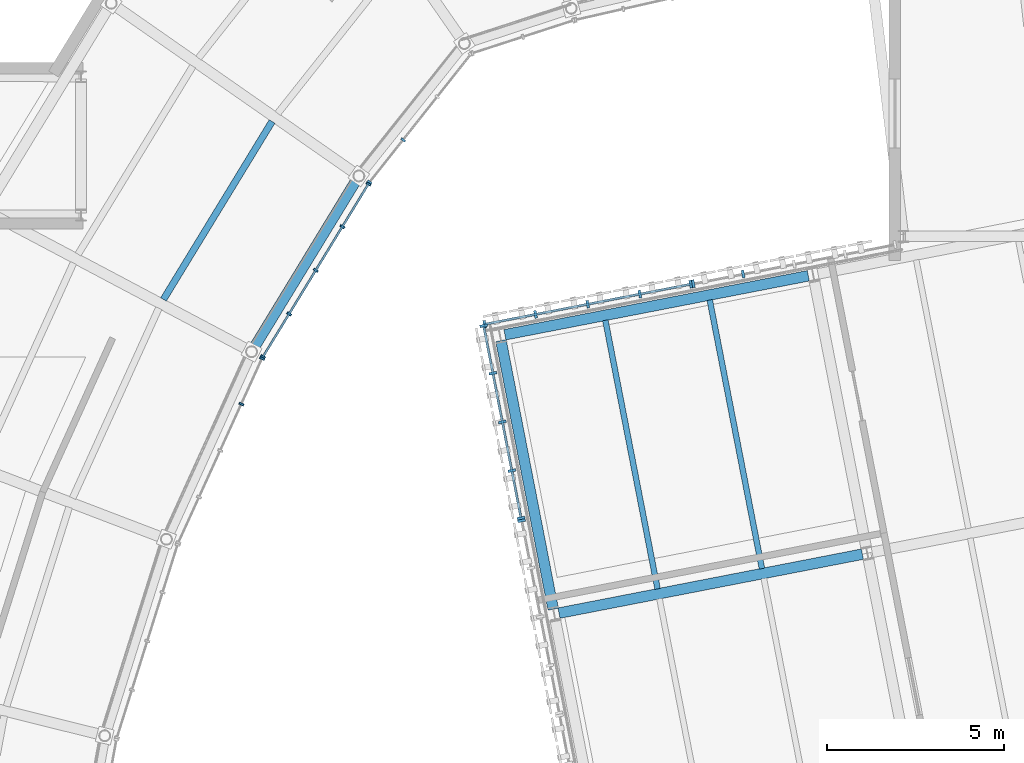
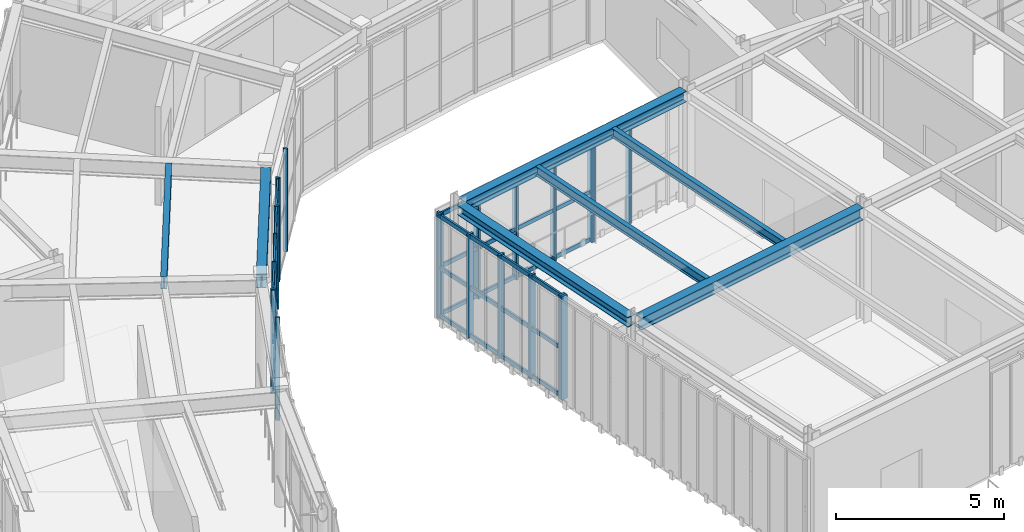
# One storey, part 41 of 103: 31 members, 7 beams, 7 elements without a shape of their own.
"""IFC4 building model written with IfcOpenShell, lengths in metres."""

from ifc_helpers import new_model, si_unit, direction, frame, origin, origin_2d, place, context, subcontext, project, spatial, rectangle, i_section, extrude, material, material_profile, profile_set, type_object, element, aggregate, save


model = new_model("IFC4")

# Units and contexts
model_context = context("Model", 3, precision=1e-05, world=origin(), true_north=direction((0.0, 1.0)))
body_context = subcontext(model_context, "Body", "Model", "MODEL_VIEW")
ifc_project = project(units=[si_unit("LENGTHUNIT", "METRE"), si_unit("AREAUNIT", "SQUARE_METRE"), si_unit("VOLUMEUNIT", "CUBIC_METRE"), si_unit("PLANEANGLEUNIT", "RADIAN"), si_unit("MASSUNIT", "GRAM", prefix="KILO")], contexts=[model_context])

# Site, building, storey
site_placement = place(None, origin())
site = spatial("IfcSite", under=ifc_project, at=site_placement, CompositionType="ELEMENT")
building_placement = place(site_placement, origin())
building = spatial("IfcBuilding", under=site, at=building_placement, Name="Varnklinge Art Gallery", CompositionType="ELEMENT")
storey_placement = place(building_placement, frame((0.0, 0.0, 5.10009765625)))
storey = spatial("IfcBuildingStorey", under=building, at=storey_placement, Name="L01", CompositionType="ELEMENT", Elevation=5.10009765625)

# Beams
ifc_material_1 = material(Name="Steel S355", Category="steel")
ifc_material_profile_1 = material_profile(ifc_material_1, i_section(OverallWidth=0.300048828125, OverallDepth=0.43994140625, WebThickness=0.011474609375, FlangeThickness=0.02099609375, FilletRadius=0.027099609375, at=origin_2d()), Name="HEA 450")
ifc_profile_set_1 = profile_set([ifc_material_profile_1], Name="Steel S355")
beam_type_1 = type_object("IfcBeamType", Name="BM-08", PredefinedType="BEAM", material=ifc_profile_set_1)
beam_1_placement = place(storey_placement, frame((62.483642578125, 69.969970703125, 3.97998046875), z_axis=(0.981628064538, 0.190804462503, 0.0), x_axis=(-0.190804462503, 0.981628064538, 0.0)))
element("IfcBeam", 1, at=beam_1_placement, inside=storey, type_object=beam_type_1, Name="L01 BM-08 BM-V4B-L02-U1-0", PredefinedType="BEAM", context=body_context, shape_type="SweptSolid", body=[
    extrude(i_section(OverallWidth=0.300048828125, OverallDepth=0.43994140625, WebThickness=0.011474609375, FlangeThickness=0.02099609375, FilletRadius=0.027099609375, at=origin_2d()), origin(), (0.0, 0.0, 1.0), 8.719970703125),
])
ifc_material_2 = material(Name="Steel S355", Category="steel")
ifc_material_profile_2 = material_profile(ifc_material_2, i_section(OverallWidth=0.18994140625, OverallDepth=0.449951171875, WebThickness=0.009521484375, FlangeThickness=0.0146484375, FilletRadius=0.02099609375, at=origin_2d()), Name="IPE 450")
ifc_profile_set_2 = profile_set([ifc_material_profile_2], Name="Steel S355")
beam_type_2 = type_object("IfcBeamType", Name="JST-04", PredefinedType="JOIST", material=ifc_profile_set_2)
beam_2_placement = place(storey_placement, frame((54.388427734375, 83.84033203125, 3.954833984375), z_axis=(-0.520951279717, -0.853586412826, 0.0), x_axis=(0.853586412826, -0.520951279717, 0.0)))
element("IfcBeam", 2, at=beam_2_placement, inside=storey, type_object=beam_type_2, Name="L01 JST-04 JST-V2-L02-22-2", PredefinedType="JOIST", context=body_context, shape_type="SweptSolid", body=[
    extrude(i_section(OverallWidth=0.18994140625, OverallDepth=0.449951171875, WebThickness=0.009521484375, FlangeThickness=0.0146484375, FilletRadius=0.02099609375, at=origin_2d()), origin(), (0.0, 0.0, 1.0), 5.8818359375),
])
ifc_material_3 = material(Name="Steel S355", Category="steel")
ifc_material_profile_3 = material_profile(ifc_material_3, i_section(OverallWidth=0.159912109375, OverallDepth=0.330078125, WebThickness=0.007568359375, FlangeThickness=0.011474609375, FilletRadius=0.01806640625, at=origin_2d()), Name="IPE 330")
ifc_profile_set_3 = profile_set([ifc_material_profile_3], Name="Steel S355")
beam_type_3 = type_object("IfcBeamType", Name="JST-07", PredefinedType="JOIST", material=ifc_profile_set_3)
beam_3_placement = place(storey_placement, frame((65.264404296875, 70.653076171875, 4.034912109375), z_axis=(-0.190822257393, 0.98162460548, 0.0), x_axis=(-0.98162460548, -0.190822257393, 0.0)))
element("IfcBeam", 3, at=beam_3_placement, inside=storey, type_object=beam_type_3, Name="L01 JST-07 JST-V4B-L02-0-1-1", PredefinedType="JOIST", context=body_context, shape_type="SweptSolid", body=[
    extrude(i_section(OverallWidth=0.159912109375, OverallDepth=0.330078125, WebThickness=0.007568359375, FlangeThickness=0.011474609375, FilletRadius=0.01806640625, at=origin_2d()), origin(), (0.0, 0.0, 1.0), 7.719970703125),
])
beam_4_placement = place(storey_placement, frame((68.209228515625, 71.225341796875, 4.034912109375), z_axis=(-0.190816333803, 0.981625756974, 0.0), x_axis=(-0.981625756974, -0.190816333803, 0.0)))
element("IfcBeam", 4, at=beam_4_placement, inside=storey, type_object=beam_type_3, Name="L01 JST-07 JST-V4B-L02-0-1-2", PredefinedType="JOIST", context=body_context, shape_type="SweptSolid", body=[
    extrude(i_section(OverallWidth=0.159912109375, OverallDepth=0.330078125, WebThickness=0.007568359375, FlangeThickness=0.011474609375, FilletRadius=0.01806640625, at=origin_2d()), origin(), (0.0, 0.0, 1.0), 7.72021484375),
])

# Curtain wall, members
ifc_material_4 = material(Name="Anodised Aluminium", Category="aluminium")
curtain_wall_type_1 = type_object("IfcCurtainWallType", Name="CW-L02", PredefinedType="USERDEFINED", material=ifc_material_4)
curtain_wall_1_placement = place(storey_placement, origin())
curtain_wall_1 = element("IfcCurtainWall", 5, at=curtain_wall_1_placement, inside=storey, type_object=curtain_wall_type_1, Name="L01 Curtain Wall CW-V4B-L01-3-2-1", ObjectType="UNITISED CURTAIN WALL", PredefinedType="USERDEFINED")
ifc_material_5 = material(Name="Anodised Aluminium", Category="aluminium")
ifc_material_profile_4 = material_profile(ifc_material_5, rectangle(XDim=0.074951171875, YDim=0.219970703125, at=origin_2d()), Name="ALU 75x220")
ifc_profile_set_4 = profile_set([ifc_material_profile_4], Name="Anodised Aluminium")
member_type_1 = type_object("IfcMemberType", Name="MUL-02", PredefinedType="MULLION", material=ifc_profile_set_4)
member_1_placement = place(storey_placement, frame((67.676513671875, 79.53662109375, 0.0), z_axis=(0.0, 0.0, 1.0), x_axis=(-0.981627183448, -0.190808995377, 0.0)))
member_1 = element("IfcMember", 6, at=member_1_placement, type_object=member_type_1, Name="CW-V4B-L01-3-2-1 Mullion 4", PredefinedType="MULLION", context=body_context, shape_type="SweptSolid", body=[
    extrude(rectangle(XDim=0.074951171875, YDim=0.219970703125, at=origin_2d()), origin(), (0.0, 0.0, 1.0), 3.75),
])
member_2_placement = place(storey_placement, frame((66.272216796875, 79.263671875, 0.0), z_axis=(0.0, 0.0, 1.0), x_axis=(-0.981627183448, -0.190808995377, 0.0)))
member_2 = element("IfcMember", 7, at=member_2_placement, type_object=member_type_1, Name="CW-V4B-L01-3-2-1 Mullion 5", PredefinedType="MULLION", context=body_context, shape_type="SweptSolid", body=[
    extrude(rectangle(XDim=0.074951171875, YDim=0.219970703125, at=origin_2d()), origin(), (0.0, 0.0, 1.0), 3.75),
])
aggregate(curtain_wall_1, [member_1, member_2])

curtain_wall_2_placement = place(storey_placement, origin())
curtain_wall_2 = element("IfcCurtainWall", 8, at=curtain_wall_2_placement, inside=storey, type_object=curtain_wall_type_1, Name="L01 Curtain Wall CW-V4B-L01-3-2-2", ObjectType="UNITISED CURTAIN WALL", PredefinedType="USERDEFINED")
member_3_placement = place(storey_placement, frame((66.198486328125, 79.249267578125, 0.0), z_axis=(0.0, 0.0, 1.0), x_axis=(-0.981627183448, -0.190808995377, 0.0)))
member_3 = element("IfcMember", 9, at=member_3_placement, type_object=member_type_1, Name="CW-V4B-L01-3-2-2 Mullion 1", PredefinedType="MULLION", context=body_context, shape_type="SweptSolid", body=[
    extrude(rectangle(XDim=0.074951171875, YDim=0.219970703125, at=origin_2d()), origin(), (0.0, 0.0, 1.0), 3.75),
])
member_4_placement = place(storey_placement, frame((64.76416015625, 78.970458984375, 0.0), z_axis=(0.0, 0.0, 1.0), x_axis=(-0.981627183448, -0.190808995377, 0.0)))
member_4 = element("IfcMember", 10, at=member_4_placement, type_object=member_type_1, Name="CW-V4B-L01-3-2-2 Mullion 2", PredefinedType="MULLION", context=body_context, shape_type="SweptSolid", body=[
    extrude(rectangle(XDim=0.074951171875, YDim=0.219970703125, at=origin_2d()), origin(), (0.0, 0.0, 1.0), 3.75),
])
member_5_placement = place(storey_placement, frame((63.29296875, 78.684326171875, 0.0), z_axis=(0.0, 0.0, 1.0), x_axis=(-0.981627183448, -0.190808995377, 0.0)))
member_5 = element("IfcMember", 11, at=member_5_placement, type_object=member_type_1, Name="CW-V4B-L01-3-2-2 Mullion 3", PredefinedType="MULLION", context=body_context, shape_type="SweptSolid", body=[
    extrude(rectangle(XDim=0.074951171875, YDim=0.219970703125, at=origin_2d()), origin(), (0.0, 0.0, 1.0), 3.75),
])
member_6_placement = place(storey_placement, frame((61.82177734375, 78.3984375, 0.0), z_axis=(0.0, 0.0, 1.0), x_axis=(-0.981627183448, -0.190808995377, 0.0)))
member_6 = element("IfcMember", 12, at=member_6_placement, type_object=member_type_1, Name="CW-V4B-L01-3-2-2 Mullion 4", PredefinedType="MULLION", context=body_context, shape_type="SweptSolid", body=[
    extrude(rectangle(XDim=0.074951171875, YDim=0.219970703125, at=origin_2d()), origin(), (0.0, 0.0, 1.0), 3.75),
])
member_7_placement = place(storey_placement, frame((60.387451171875, 78.11962890625, 0.0), z_axis=(0.0, 0.0, 1.0), x_axis=(-0.981627183448, -0.190808995377, 0.0)))
member_7 = element("IfcMember", 13, at=member_7_placement, type_object=member_type_1, Name="CW-V4B-L01-3-2-2 Mullion 5", PredefinedType="MULLION", context=body_context, shape_type="SweptSolid", body=[
    extrude(rectangle(XDim=0.074951171875, YDim=0.219970703125, at=origin_2d()), origin(), (0.0, 0.0, 1.0), 3.75),
])

ifc_material_6 = material(Name="Anodised Aluminium", Category="aluminium")
curtain_wall_type_2 = type_object("IfcCurtainWallType", Name="CW-L06", PredefinedType="USERDEFINED", material=ifc_material_6)
curtain_wall_3_placement = place(storey_placement, origin())
curtain_wall_3 = element("IfcCurtainWall", 14, at=curtain_wall_3_placement, inside=storey, type_object=curtain_wall_type_2, Name="L01 Curtain Wall CW-V4B-L01-4-1-1", ObjectType="UNITISED CURTAIN WALL", PredefinedType="USERDEFINED")
member_8_placement = place(storey_placement, frame((60.35791015625, 78.07568359375, 0.0), z_axis=(0.0, 0.0, 1.0), x_axis=(0.190808995377, -0.981627183448, 0.0)))
member_8 = element("IfcMember", 15, at=member_8_placement, type_object=member_type_1, Name="CW-V4B-L01-4-1-1 Mullion 1", PredefinedType="MULLION", context=body_context, shape_type="SweptSolid", body=[
    extrude(rectangle(XDim=0.074951171875, YDim=0.219970703125, at=origin_2d()), origin(), (0.0, 0.0, 1.0), 3.75),
])
member_9_placement = place(storey_placement, frame((60.617919921875, 76.73828125, 0.0), z_axis=(0.0, 0.0, 1.0), x_axis=(0.190808995377, -0.981627183448, 0.0)))
member_9 = element("IfcMember", 16, at=member_9_placement, type_object=member_type_1, Name="CW-V4B-L01-4-1-1 Mullion 2", PredefinedType="MULLION", context=body_context, shape_type="SweptSolid", body=[
    extrude(rectangle(XDim=0.074951171875, YDim=0.219970703125, at=origin_2d()), origin(), (0.0, 0.0, 1.0), 3.75),
])
member_10_placement = place(storey_placement, frame((60.885009765625, 75.364013671875, 0.0), z_axis=(0.0, 0.0, 1.0), x_axis=(0.190808995377, -0.981627183448, 0.0)))
member_10 = element("IfcMember", 17, at=member_10_placement, type_object=member_type_1, Name="CW-V4B-L01-4-1-1 Mullion 3", PredefinedType="MULLION", context=body_context, shape_type="SweptSolid", body=[
    extrude(rectangle(XDim=0.074951171875, YDim=0.219970703125, at=origin_2d()), origin(), (0.0, 0.0, 1.0), 3.75),
])
member_11_placement = place(storey_placement, frame((61.152099609375, 73.98974609375, 0.0), z_axis=(0.0, 0.0, 1.0), x_axis=(0.190808995377, -0.981627183448, 0.0)))
member_11 = element("IfcMember", 18, at=member_11_placement, type_object=member_type_1, Name="CW-V4B-L01-4-1-1 Mullion 4", PredefinedType="MULLION", context=body_context, shape_type="SweptSolid", body=[
    extrude(rectangle(XDim=0.074951171875, YDim=0.219970703125, at=origin_2d()), origin(), (0.0, 0.0, 1.0), 3.75),
])
member_12_placement = place(storey_placement, frame((61.412109375, 72.652099609375, 0.0), z_axis=(0.0, 0.0, 1.0), x_axis=(0.190808995377, -0.981627183448, 0.0)))
member_12 = element("IfcMember", 19, at=member_12_placement, type_object=member_type_1, Name="CW-V4B-L01-4-1-1 Mullion 5", PredefinedType="MULLION", context=body_context, shape_type="SweptSolid", body=[
    extrude(rectangle(XDim=0.074951171875, YDim=0.219970703125, at=origin_2d()), origin(), (0.0, 0.0, 1.0), 3.75),
])

# Curtain wall, member
curtain_wall_4_placement = place(storey_placement, origin())
curtain_wall_4 = element("IfcCurtainWall", 20, at=curtain_wall_4_placement, inside=storey, type_object=curtain_wall_type_2, Name="L01 Curtain Wall CW-V4B-L01-4-1-2", ObjectType="UNITISED CURTAIN WALL", PredefinedType="USERDEFINED")
member_13_placement = place(storey_placement, frame((61.426513671875, 72.57861328125, 0.0), z_axis=(0.0, 0.0, 1.0), x_axis=(0.190808995377, -0.981627183448, 0.0)))
member_13 = element("IfcMember", 21, at=member_13_placement, type_object=member_type_1, Name="CW-V4B-L01-4-1-2 Mullion 1", PredefinedType="MULLION", context=body_context, shape_type="SweptSolid", body=[
    extrude(rectangle(XDim=0.074951171875, YDim=0.219970703125, at=origin_2d()), origin(), (0.0, 0.0, 1.0), 3.75),
])
aggregate(curtain_wall_4, [member_13])

# Curtain wall, members
ifc_material_7 = material(Name="Anodised Aluminium", Category="aluminium")
curtain_wall_type_3 = type_object("IfcCurtainWallType", Name="CW-R04", PredefinedType="USERDEFINED", material=ifc_material_7)
curtain_wall_5_placement = place(storey_placement, origin())
curtain_wall_5 = element("IfcCurtainWall", 22, at=curtain_wall_5_placement, inside=storey, type_object=curtain_wall_type_3, Name="L01 Curtain Wall CW-V2I-L01-21", ObjectType="UNITISED CURTAIN WALL", PredefinedType="USERDEFINED")
ifc_material_8 = material(Name="Anodised Aluminium", Category="aluminium")
ifc_material_profile_5 = material_profile(ifc_material_8, rectangle(XDim=0.06005859375, YDim=0.139892578125, at=origin_2d()), Name="ALU 60x140")
ifc_profile_set_5 = profile_set([ifc_material_profile_5], Name="Anodised Aluminium")
member_type_2 = type_object("IfcMemberType", Name="MUL-03", PredefinedType="MULLION", material=ifc_profile_set_5)
member_14_placement = place(storey_placement, frame((57.142578125, 82.127197265625, 0.0), z_axis=(0.0, 0.0, 1.0), x_axis=(0.620737354217, 0.784018582101, 0.0)))
member_14 = element("IfcMember", 23, at=member_14_placement, type_object=member_type_2, Name="CW-V2I-L01-21 Mullion 1", PredefinedType="MULLION", context=body_context, shape_type="SweptSolid", body=[
    extrude(rectangle(XDim=0.06005859375, YDim=0.139892578125, at=origin_2d()), origin(), (0.0, 0.0, 1.0), 3.72998046875),
])
member_15_placement = place(storey_placement, frame((58.08740234375, 83.3203125, 0.0), z_axis=(0.0, 0.0, 1.0), x_axis=(0.620737354217, 0.784018582101, 0.0)))
member_15 = element("IfcMember", 24, at=member_15_placement, type_object=member_type_2, Name="CW-V2I-L01-21 Mullion 2", PredefinedType="MULLION", context=body_context, shape_type="SweptSolid", body=[
    extrude(rectangle(XDim=0.06005859375, YDim=0.139892578125, at=origin_2d()), origin(), (0.0, 0.0, 1.0), 3.72998046875),
])
aggregate(curtain_wall_5, [member_14, member_15])

curtain_wall_6_placement = place(storey_placement, origin())
curtain_wall_6 = element("IfcCurtainWall", 25, at=curtain_wall_6_placement, inside=storey, type_object=curtain_wall_type_3, Name="L01 Curtain Wall CW-V2I-L01-22", ObjectType="UNITISED CURTAIN WALL", PredefinedType="USERDEFINED")
member_16_placement = place(storey_placement, frame((54.13525390625, 77.206298828125, 0.0), z_axis=(0.0, 0.0, 1.0), x_axis=(0.520860651188, 0.85364171761, 0.0)))
member_16 = element("IfcMember", 26, at=member_16_placement, type_object=member_type_2, Name="CW-V2I-L01-22 Mullion 1", PredefinedType="MULLION", context=body_context, shape_type="SweptSolid", body=[
    extrude(rectangle(XDim=0.06005859375, YDim=0.139892578125, at=origin_2d()), origin(), (0.0, 0.0, 1.0), 3.72998046875),
])
member_17_placement = place(storey_placement, frame((54.870849609375, 78.41162109375, 0.0), z_axis=(0.0, 0.0, 1.0), x_axis=(0.520860651188, 0.85364171761, 0.0)))
member_17 = element("IfcMember", 27, at=member_17_placement, type_object=member_type_2, Name="CW-V2I-L01-22 Mullion 2", PredefinedType="MULLION", context=body_context, shape_type="SweptSolid", body=[
    extrude(rectangle(XDim=0.06005859375, YDim=0.139892578125, at=origin_2d()), origin(), (0.0, 0.0, 1.0), 3.72998046875),
])
member_18_placement = place(storey_placement, frame((55.621826171875, 79.64208984375, 0.0), z_axis=(0.0, 0.0, 1.0), x_axis=(0.520860651188, 0.85364171761, 0.0)))
member_18 = element("IfcMember", 28, at=member_18_placement, type_object=member_type_2, Name="CW-V2I-L01-22 Mullion 3", PredefinedType="MULLION", context=body_context, shape_type="SweptSolid", body=[
    extrude(rectangle(XDim=0.06005859375, YDim=0.139892578125, at=origin_2d()), origin(), (0.0, 0.0, 1.0), 3.72998046875),
])
member_19_placement = place(storey_placement, frame((56.372802734375, 80.872802734375, 0.0), z_axis=(0.0, 0.0, 1.0), x_axis=(0.520860651188, 0.85364171761, 0.0)))
member_19 = element("IfcMember", 29, at=member_19_placement, type_object=member_type_2, Name="CW-V2I-L01-22 Mullion 4", PredefinedType="MULLION", context=body_context, shape_type="SweptSolid", body=[
    extrude(rectangle(XDim=0.06005859375, YDim=0.139892578125, at=origin_2d()), origin(), (0.0, 0.0, 1.0), 3.72998046875),
])
member_20_placement = place(storey_placement, frame((57.1083984375, 82.077880859375, 0.0), z_axis=(0.0, 0.0, 1.0), x_axis=(0.520860651188, 0.85364171761, 0.0)))
member_20 = element("IfcMember", 30, at=member_20_placement, type_object=member_type_2, Name="CW-V2I-L01-22 Mullion 5", PredefinedType="MULLION", context=body_context, shape_type="SweptSolid", body=[
    extrude(rectangle(XDim=0.06005859375, YDim=0.139892578125, at=origin_2d()), origin(), (0.0, 0.0, 1.0), 3.72998046875),
])

curtain_wall_7_placement = place(storey_placement, origin())
curtain_wall_7 = element("IfcCurtainWall", 31, at=curtain_wall_7_placement, inside=storey, type_object=curtain_wall_type_3, Name="L01 Curtain Wall CW-V2I-L01-23", ObjectType="UNITISED CURTAIN WALL", PredefinedType="USERDEFINED")
member_21_placement = place(storey_placement, frame((53.523681640625, 75.867919921875, 0.0), z_axis=(0.0, 0.0, 1.0), x_axis=(0.413422293217, 0.910539404678, 0.0)))
member_21 = element("IfcMember", 32, at=member_21_placement, type_object=member_type_2, Name="CW-V2I-L01-23 Mullion 4", PredefinedType="MULLION", context=body_context, shape_type="SweptSolid", body=[
    extrude(rectangle(XDim=0.06005859375, YDim=0.139892578125, at=origin_2d()), origin(), (0.0, 0.0, 1.0), 3.72998046875),
])
member_22_placement = place(storey_placement, frame((54.107421875, 77.153564453125, 0.0), z_axis=(0.0, 0.0, 1.0), x_axis=(0.413422293217, 0.910539404678, 0.0)))
member_22 = element("IfcMember", 33, at=member_22_placement, type_object=member_type_2, Name="CW-V2I-L01-23 Mullion 5", PredefinedType="MULLION", context=body_context, shape_type="SweptSolid", body=[
    extrude(rectangle(XDim=0.06005859375, YDim=0.139892578125, at=origin_2d()), origin(), (0.0, 0.0, 1.0), 3.72998046875),
])
aggregate(curtain_wall_7, [member_21, member_22])

# Beams
ifc_material_9 = material(Name="Steel S355", Category="steel")
ifc_material_profile_6 = material_profile(ifc_material_9, i_section(OverallWidth=0.300048828125, OverallDepth=0.489990234375, WebThickness=0.011962890625, FlangeThickness=0.02294921875, FilletRadius=0.027099609375, at=origin_2d()), Name="HEA 500")
ifc_profile_set_6 = profile_set([ifc_material_profile_6], Name="Steel S355")
beam_type_4 = type_object("IfcBeamType", Name="SPB-01", PredefinedType="SPANDREL", material=ifc_profile_set_6)
beam_5_placement = place(storey_placement, frame((56.763916015625, 82.184326171875, 3.934814453125), z_axis=(-0.520928443414, -0.853600349603, 0.0), x_axis=(0.853600349603, -0.520928443414, 0.0)))
element("IfcBeam", 34, at=beam_5_placement, inside=storey, type_object=beam_type_4, Name="L01 SPB-01 BM-V2-L02-I22", PredefinedType="SPANDREL", context=body_context, shape_type="SweptSolid", body=[
    extrude(i_section(OverallWidth=0.300048828125, OverallDepth=0.489990234375, WebThickness=0.011962890625, FlangeThickness=0.02294921875, FilletRadius=0.027099609375, at=origin_2d()), origin(), (0.0, 0.0, 1.0), 5.52978515625),
])
ifc_material_10 = material(Name="Steel S355", Category="steel")
ifc_material_profile_7 = material_profile(ifc_material_10, i_section(OverallWidth=0.300048828125, OverallDepth=0.389892578125, WebThickness=0.010986328125, FlangeThickness=0.01904296875, FilletRadius=0.027099609375, at=origin_2d()), Name="HEA 400")
ifc_profile_set_7 = profile_set([ifc_material_profile_7], Name="Steel S355")
beam_type_5 = type_object("IfcBeamType", Name="SPB-03", PredefinedType="SPANDREL", material=ifc_profile_set_7)
beam_6_placement = place(storey_placement, frame((60.95703125, 77.822998046875, 4.0048828125), z_axis=(0.981629083791, 0.190799218699, 0.0), x_axis=(-0.190799218699, 0.981629083791, 0.0)))
element("IfcBeam", 35, at=beam_6_placement, inside=storey, type_object=beam_type_5, Name="L01 SPB-03 BM-V4B-L02-U2-0", PredefinedType="SPANDREL", context=body_context, shape_type="SweptSolid", body=[
    extrude(i_section(OverallWidth=0.300048828125, OverallDepth=0.389892578125, WebThickness=0.010986328125, FlangeThickness=0.01904296875, FilletRadius=0.027099609375, at=origin_2d()), origin(), (0.0, 0.0, 1.0), 8.72021484375),
])
ifc_material_11 = material(Name="Steel S355", Category="steel")
ifc_material_profile_8 = material_profile(ifc_material_11, i_section(OverallWidth=0.300048828125, OverallDepth=0.35009765625, WebThickness=0.010009765625, FlangeThickness=0.017578125, FilletRadius=0.027099609375, at=origin_2d()), Name="HEA 360")
ifc_profile_set_8 = profile_set([ifc_material_profile_8], Name="Steel S355")
beam_type_6 = type_object("IfcBeamType", Name="SPB-04", PredefinedType="SPANDREL", material=ifc_profile_set_8)
beam_7_placement = place(storey_placement, frame((62.319580078125, 70.08056640625, 4.02490234375), z_axis=(-0.190822257393, 0.98162460548, 0.0), x_axis=(-0.98162460548, -0.190822257393, 0.0)))
element("IfcBeam", 36, at=beam_7_placement, inside=storey, type_object=beam_type_6, Name="L01 SPB-04 BM-V4B-L02-V0-1", PredefinedType="SPANDREL", context=body_context, shape_type="SweptSolid", body=[
    extrude(i_section(OverallWidth=0.300048828125, OverallDepth=0.35009765625, WebThickness=0.010009765625, FlangeThickness=0.017578125, FilletRadius=0.027099609375, at=origin_2d()), origin(), (0.0, 0.0, 1.0), 7.719970703125),
])

# Member
ifc_material_12 = material(Name="Anodised Aluminium", Category="aluminium")
ifc_material_profile_9 = material_profile(ifc_material_12, rectangle(XDim=0.06494140625, YDim=0.14990234375, at=origin_2d()), Name="ALU 65x150")
ifc_profile_set_9 = profile_set([ifc_material_profile_9], Name="Anodised Aluminium")
member_type_3 = type_object("IfcMemberType", Name="TRN-01", PredefinedType="USERDEFINED", material=ifc_profile_set_9)
member_23_placement = place(storey_placement, frame((66.198486328125, 79.249267578125, 0.074951171875), z_axis=(-0.981624403391, -0.19082329697, 0.0), x_axis=(0.19082329697, -0.981624403391, 0.0)))
member_23 = element("IfcMember", 37, at=member_23_placement, type_object=member_type_3, Name="CW-V4B-L01-3-2-2 Transom 1", ObjectType="TRANSOM", PredefinedType="USERDEFINED", context=body_context, shape_type="SweptSolid", body=[
    extrude(rectangle(XDim=0.06494140625, YDim=0.14990234375, at=origin_2d()), origin(), (0.0, 0.0, 1.0), 5.919921875),
])

member_24_placement = place(storey_placement, frame((66.198486328125, 79.249267578125, 1.7998046875), z_axis=(-0.981624403391, -0.19082329697, 0.0), x_axis=(0.19082329697, -0.981624403391, 0.0)))
member_24 = element("IfcMember", 38, at=member_24_placement, type_object=member_type_3, Name="CW-V4B-L01-3-2-2 Transom 2", ObjectType="TRANSOM", PredefinedType="USERDEFINED", context=body_context, shape_type="SweptSolid", body=[
    extrude(rectangle(XDim=0.06494140625, YDim=0.14990234375, at=origin_2d()), origin(), (0.0, 0.0, 1.0), 5.919921875),
])

member_25_placement = place(storey_placement, frame((66.198486328125, 79.249267578125, 3.6748046875), z_axis=(-0.981624403391, -0.19082329697, 0.0), x_axis=(0.19082329697, -0.981624403391, 0.0)))
member_25 = element("IfcMember", 39, at=member_25_placement, type_object=member_type_3, Name="CW-V4B-L01-3-2-2 Transom 3", ObjectType="TRANSOM", PredefinedType="USERDEFINED", context=body_context, shape_type="SweptSolid", body=[
    extrude(rectangle(XDim=0.06494140625, YDim=0.14990234375, at=origin_2d()), origin(), (0.0, 0.0, 1.0), 5.919921875),
])

aggregate(curtain_wall_2, [member_3, member_4, member_5, member_6, member_7, member_23, member_24, member_25])

member_26_placement = place(storey_placement, frame((60.35791015625, 78.07568359375, 0.074951171875), z_axis=(0.190802243749, -0.981628495807, 0.0), x_axis=(0.981628495807, 0.190802243749, 0.0)))
member_26 = element("IfcMember", 40, at=member_26_placement, type_object=member_type_3, Name="CW-V4B-L01-4-1-1 Transom 1", ObjectType="TRANSOM", PredefinedType="USERDEFINED", context=body_context, shape_type="SweptSolid", body=[
    extrude(rectangle(XDim=0.06494140625, YDim=0.14990234375, at=origin_2d()), origin(), (0.0, 0.0, 1.0), 5.525146484375),
])

member_27_placement = place(storey_placement, frame((60.35791015625, 78.07568359375, 1.7998046875), z_axis=(0.190802243749, -0.981628495807, 0.0), x_axis=(0.981628495807, 0.190802243749, 0.0)))
member_27 = element("IfcMember", 41, at=member_27_placement, type_object=member_type_3, Name="CW-V4B-L01-4-1-1 Transom 2", ObjectType="TRANSOM", PredefinedType="USERDEFINED", context=body_context, shape_type="SweptSolid", body=[
    extrude(rectangle(XDim=0.06494140625, YDim=0.14990234375, at=origin_2d()), origin(), (0.0, 0.0, 1.0), 5.525146484375),
])

member_28_placement = place(storey_placement, frame((60.35791015625, 78.07568359375, 3.6748046875), z_axis=(0.190802243749, -0.981628495807, 0.0), x_axis=(0.981628495807, 0.190802243749, 0.0)))
member_28 = element("IfcMember", 42, at=member_28_placement, type_object=member_type_3, Name="CW-V4B-L01-4-1-1 Transom 3", ObjectType="TRANSOM", PredefinedType="USERDEFINED", context=body_context, shape_type="SweptSolid", body=[
    extrude(rectangle(XDim=0.06494140625, YDim=0.14990234375, at=origin_2d()), origin(), (0.0, 0.0, 1.0), 5.525146484375),
])

aggregate(curtain_wall_3, [member_8, member_9, member_10, member_11, member_12, member_26, member_27, member_28])

ifc_material_13 = material(Name="Anodised Aluminium", Category="aluminium")
ifc_material_profile_10 = material_profile(ifc_material_13, rectangle(XDim=0.06005859375, YDim=0.1201171875, at=origin_2d()), Name="ALU 60x120")
ifc_profile_set_10 = profile_set([ifc_material_profile_10], Name="Anodised Aluminium")
member_type_4 = type_object("IfcMemberType", Name="TRN-02", PredefinedType="USERDEFINED", material=ifc_profile_set_10)
member_29_placement = place(storey_placement, frame((54.13525390625, 77.206298828125, 0.059814453125), z_axis=(0.520948121202, 0.853588340488, 0.0), x_axis=(-0.853588340488, 0.520948121202, 0.0)))
member_29 = element("IfcMember", 43, at=member_29_placement, type_object=member_type_4, Name="CW-V2I-L01-22 Transom 1", ObjectType="TRANSOM", PredefinedType="USERDEFINED", context=body_context, shape_type="SweptSolid", body=[
    extrude(rectangle(XDim=0.06005859375, YDim=0.1201171875, at=origin_2d()), origin(), (0.0, 0.0, 1.0), 5.707275390625),
])

member_30_placement = place(storey_placement, frame((54.13525390625, 77.206298828125, 1.790283203125), z_axis=(0.520948121202, 0.853588340488, 0.0), x_axis=(-0.853588340488, 0.520948121202, 0.0)))
member_30 = element("IfcMember", 44, at=member_30_placement, type_object=member_type_4, Name="CW-V2I-L01-22 Transom 2", ObjectType="TRANSOM", PredefinedType="USERDEFINED", context=body_context, shape_type="SweptSolid", body=[
    extrude(rectangle(XDim=0.06005859375, YDim=0.1201171875, at=origin_2d()), origin(), (0.0, 0.0, 1.0), 5.707275390625),
])

member_31_placement = place(storey_placement, frame((54.13525390625, 77.206298828125, 3.669921875), z_axis=(0.520948121202, 0.853588340488, 0.0), x_axis=(-0.853588340488, 0.520948121202, 0.0)))
member_31 = element("IfcMember", 45, at=member_31_placement, type_object=member_type_4, Name="CW-V2I-L01-22 Transom 3", ObjectType="TRANSOM", PredefinedType="USERDEFINED", context=body_context, shape_type="SweptSolid", body=[
    extrude(rectangle(XDim=0.06005859375, YDim=0.1201171875, at=origin_2d()), origin(), (0.0, 0.0, 1.0), 5.707275390625),
])

aggregate(curtain_wall_6, [member_16, member_17, member_18, member_19, member_20, member_29, member_30, member_31])

save(model, "model.ifc")
